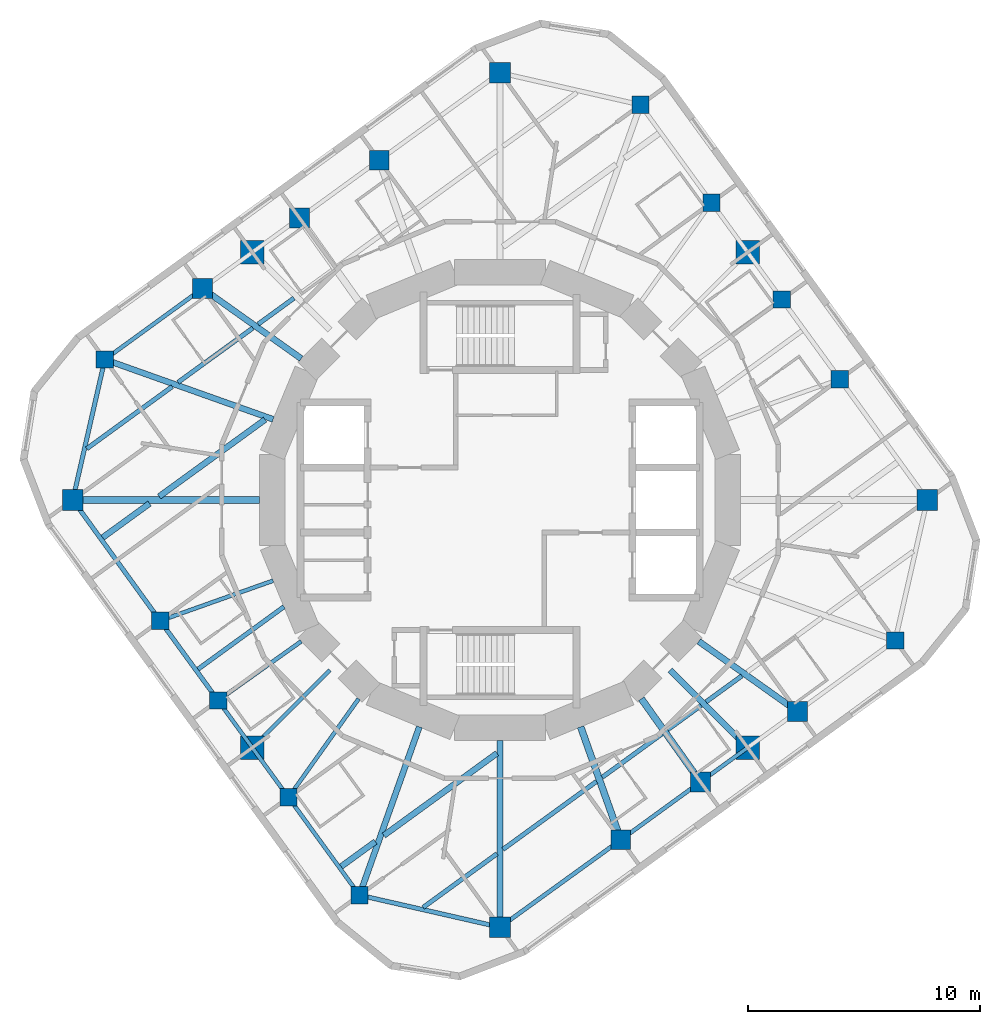
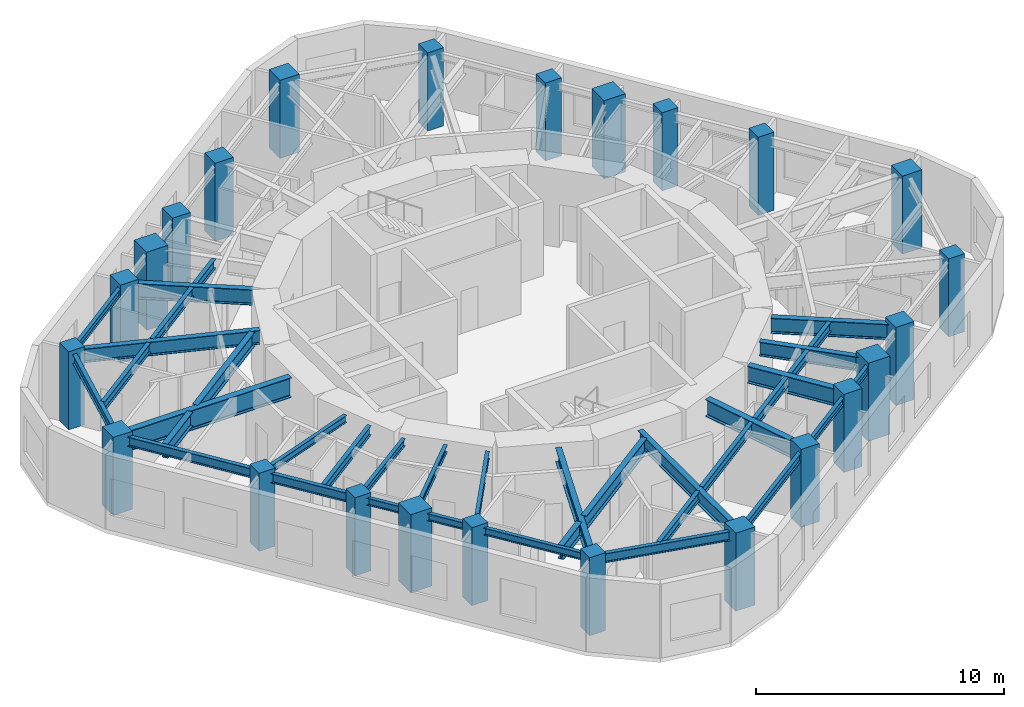
# One storey, part 1 of 9: 37 beams, 24 columns.
"""IFC4 building model written with IfcOpenShell, lengths in metres."""

from ifc_helpers import new_model, si_unit, direction, frame, origin, origin_2d, place, context, subcontext, project, spatial, rectangle, i_section, extrude, material, material_profile, profile_set, type_object, element, save


model = new_model("IFC4")

# Units and contexts
model_context = context("Model", 3, precision=1e-05, world=origin(), true_north=direction((0.0, 1.0)))
body_context = subcontext(model_context, "Body", "Model", "MODEL_VIEW")
ifc_project = project(units=[si_unit("LENGTHUNIT", "METRE"), si_unit("AREAUNIT", "SQUARE_METRE"), si_unit("VOLUMEUNIT", "CUBIC_METRE"), si_unit("PLANEANGLEUNIT", "RADIAN"), si_unit("MASSUNIT", "GRAM", prefix="KILO")], contexts=[model_context])

# Site, building, storey
site_placement = place(None, origin())
site = spatial("IfcSite", under=ifc_project, at=site_placement, CompositionType="ELEMENT")
building_placement = place(site_placement, origin())
building = spatial("IfcBuilding", under=site, at=building_placement, Name="Nakasero Lantern House", CompositionType="ELEMENT")
storey_placement = place(building_placement, frame((0.0, 0.0, 279.14990234375)))
storey = spatial("IfcBuildingStorey", under=building, at=storey_placement, Name="L68", CompositionType="ELEMENT", Elevation=279.14990234375)

# Columns
ifc_material_1 = material(Name="Concrete C40/50", Category="concrete")
ifc_material_profile_1 = material_profile(ifc_material_1, rectangle(XDim=1.0, YDim=1.0, at=origin_2d()), Name="RC 1000x1000")
ifc_profile_set_1 = profile_set([ifc_material_profile_1], Name="Concrete C40/50")
column_type_1 = type_object("IfcColumnType", Name="Mega column RC 1000x1000 C40/50", PredefinedType="COLUMN", material=ifc_profile_set_1)
for number, where, z_axis, x_axis, name in (
    (1, (10.667236328125, 10.667236328125, 0.0), (0.0, 0.0, 1.0), (1.0, 0.0, 0.0), "Column B7-C06 L68"),
    (2, (-10.667236328125, 10.667236328125, 0.0), (0.0, 0.0, 1.0), (1.0, 0.0, 0.0), "Column B7-C12 L68"),
    (3, (-10.667236328125, -10.667236328125, 0.0), (0.0, 0.0, 1.0), (1.0, 0.0, 0.0), "Column B7-C18 L68"),
    (4, (10.667236328125, -10.667236328125, 0.0), (0.0, 0.0, 1.0), (1.0, 0.0, 0.0), "Column B7-C24 L68"),
):
    element("IfcColumn", number, at=place(storey_placement, frame(where, z_axis=z_axis, x_axis=x_axis)), inside=storey, type_object=column_type_1, Name=name, PredefinedType="COLUMN", context=body_context, shape_type="SweptSolid", body=[
        extrude(rectangle(XDim=1.0, YDim=1.0, at=origin_2d()), origin(), (0.0, 0.0, 1.0), 3.85009765625),
    ])
ifc_material_2 = material(Name="Concrete C40/50", Category="concrete")
ifc_material_profile_2 = material_profile(ifc_material_2, rectangle(XDim=0.75, YDim=0.75, at=origin_2d()), Name="RC 750x750")
ifc_profile_set_2 = profile_set([ifc_material_profile_2], Name="Concrete C40/50")
column_type_2 = type_object("IfcColumnType", Name="Ring column RC 750x750 C40/50", PredefinedType="COLUMN", material=ifc_profile_set_2)
for number, where, z_axis, x_axis, name in (
    (5, (17.02001953125, -6.051513671875, 0.0), (0.0, 0.0, 1.0), (1.0, 0.0, 0.0), "Column B7-C02 L68"),
    (6, (14.636474609375, 5.2041015625, 0.0), (0.0, 0.0, 1.0), (1.0, 0.0, 0.0), "Column B7-C04 L68"),
    (7, (12.1435546875, 8.63525390625, 0.0), (0.0, 0.0, 1.0), (1.0, 0.0, 0.0), "Column B7-C05 L68"),
    (8, (9.10986328125, 12.810791015625, 0.0), (0.0, 0.0, 1.0), (1.0, 0.0, 0.0), "Column B7-C07 L68"),
    (9, (6.051513671875, 17.02001953125, 0.0), (0.0, 0.0, 1.0), (1.0, 0.0, 0.0), "Column B7-C08 L68"),
    (10, (-17.02001953125, 6.051513671875, 0.0), (0.0, 0.0, 1.0), (1.0, 0.0, 0.0), "Column B7-C14 L68"),
    (11, (-14.636474609375, -5.2041015625, 0.0), (0.0, 0.0, 1.0), (1.0, 0.0, 0.0), "Column B7-C16 L68"),
    (12, (-12.1435546875, -8.63525390625, 0.0), (0.0, 0.0, 1.0), (1.0, 0.0, 0.0), "Column B7-C17 L68"),
    (13, (-9.10986328125, -12.810791015625, 0.0), (0.0, 0.0, 1.0), (1.0, 0.0, 0.0), "Column B7-C19 L68"),
    (14, (-6.051513671875, -17.02001953125, 0.0), (0.0, 0.0, 1.0), (1.0, 0.0, 0.0), "Column B7-C20 L68"),
):
    element("IfcColumn", number, at=place(storey_placement, frame(where, z_axis=z_axis, x_axis=x_axis)), inside=storey, type_object=column_type_2, Name=name, PredefinedType="COLUMN", context=body_context, shape_type="SweptSolid", body=[
        extrude(rectangle(XDim=0.75, YDim=0.75, at=origin_2d()), origin(), (0.0, 0.0, 1.0), 3.85009765625),
    ])
ifc_material_3 = material(Name="Concrete C40/50", Category="concrete")
ifc_material_profile_3 = material_profile(ifc_material_3, rectangle(XDim=0.85009765625, YDim=0.85009765625, at=origin_2d()), Name="RC 850x850")
ifc_profile_set_3 = profile_set([ifc_material_profile_3], Name="Concrete C40/50")
column_type_3 = type_object("IfcColumnType", Name="Ring column RC 850x850 C40/50", PredefinedType="COLUMN", material=ifc_profile_set_3)
for number, where, z_axis, x_axis, name in (
    (15, (12.810791015625, -9.10986328125, 0.0), (0.0, 0.0, 1.0), (1.0, 0.0, 0.0), "Column B7-C01 L68"),
    (16, (-5.2041015625, 14.636474609375, 0.0), (0.0, 0.0, 1.0), (1.0, 0.0, 0.0), "Column B7-C10 L68"),
    (17, (-8.63525390625, 12.1435546875, 0.0), (0.0, 0.0, 1.0), (1.0, 0.0, 0.0), "Column B7-C11 L68"),
    (18, (-12.810791015625, 9.10986328125, 0.0), (0.0, 0.0, 1.0), (1.0, 0.0, 0.0), "Column B7-C13 L68"),
    (19, (5.2041015625, -14.636474609375, 0.0), (0.0, 0.0, 1.0), (1.0, 0.0, 0.0), "Column B7-C22 L68"),
    (20, (8.63525390625, -12.1435546875, 0.0), (0.0, 0.0, 1.0), (1.0, 0.0, 0.0), "Column B7-C23 L68"),
):
    element("IfcColumn", number, at=place(storey_placement, frame(where, z_axis=z_axis, x_axis=x_axis)), inside=storey, type_object=column_type_3, Name=name, PredefinedType="COLUMN", context=body_context, shape_type="SweptSolid", body=[
        extrude(rectangle(XDim=0.85009765625, YDim=0.85009765625, at=origin_2d()), origin(), (0.0, 0.0, 1.0), 3.85009765625),
    ])
ifc_material_4 = material(Name="Concrete C40/50", Category="concrete")
ifc_material_profile_4 = material_profile(ifc_material_4, rectangle(XDim=0.89990234375, YDim=0.89990234375, at=origin_2d()), Name="RC 900x900")
ifc_profile_set_4 = profile_set([ifc_material_profile_4], Name="Concrete C40/50")
column_type_4 = type_object("IfcColumnType", Name="Ring column RC 900x900 C40/50", PredefinedType="COLUMN", material=ifc_profile_set_4)
for number, where, z_axis, x_axis, name in (
    (21, (18.39990234375, 0.0, 0.0), (0.0, 0.0, 1.0), (1.0, 0.0, 0.0), "Column B7-C03 L68"),
    (22, (0.0, 18.39990234375, 0.0), (0.0, 0.0, 1.0), (1.0, 0.0, 0.0), "Column B7-C09 L68"),
    (23, (-18.39990234375, 0.0, 0.0), (0.0, 0.0, 1.0), (1.0, 0.0, 0.0), "Column B7-C15 L68"),
    (24, (0.0, -18.39990234375, 0.0), (0.0, 0.0, 1.0), (1.0, 0.0, 0.0), "Column B7-C21 L68"),
):
    element("IfcColumn", number, at=place(storey_placement, frame(where, z_axis=z_axis, x_axis=x_axis)), inside=storey, type_object=column_type_4, Name=name, PredefinedType="COLUMN", context=body_context, shape_type="SweptSolid", body=[
        extrude(rectangle(XDim=0.89990234375, YDim=0.89990234375, at=origin_2d()), origin(), (0.0, 0.0, 1.0), 3.85009765625),
    ])

# Beams
ifc_material_5 = material(Name="Steel S355", Category="steel")
ifc_material_profile_5 = material_profile(ifc_material_5, i_section(OverallWidth=0.19140625, OverallDepth=0.4599609375, WebThickness=0.010009765625, FlangeThickness=0.01611328125, FilletRadius=0.01025390625, at=origin_2d()), Name="UB 457x191x82")
ifc_profile_set_5 = profile_set([ifc_material_profile_5], Name="Steel S355")
beam_type_1 = type_object("IfcBeamType", Name="Infill beam UB 457x191x82", PredefinedType="JOIST", material=ifc_profile_set_5)
beam_1_placement = place(storey_placement, frame((-3.311279296875, -17.547607421875, 3.420166015625), z_axis=(0.809028442836, 0.587769494515, 0.0), x_axis=(-0.587769494515, 0.809028442836, 0.0)))
element("IfcBeam", 25, at=beam_1_placement, inside=storey, type_object=beam_type_1, Name="Infill beam L69 03.1", PredefinedType="JOIST", context=body_context, shape_type="SweptSolid", body=[
    extrude(i_section(OverallWidth=0.19140625, OverallDepth=0.4599609375, WebThickness=0.010009765625, FlangeThickness=0.01611328125, FilletRadius=0.01025390625, at=origin_2d()), origin(), (0.0, 0.0, 1.0), 3.934814453125),
])
beam_2_placement = place(storey_placement, frame((0.1279296875, -15.048828125, 3.420166015625), z_axis=(0.809018056479, 0.587783790428, 0.0), x_axis=(-0.587783790428, 0.809018056479, 0.0)))
element("IfcBeam", 26, at=beam_2_placement, inside=storey, type_object=beam_type_1, Name="Infill beam L69 03.2", PredefinedType="JOIST", context=body_context, shape_type="SweptSolid", body=[
    extrude(i_section(OverallWidth=0.19140625, OverallDepth=0.4599609375, WebThickness=0.010009765625, FlangeThickness=0.01611328125, FilletRadius=0.01025390625, at=origin_2d()), origin(), (0.0, 0.0, 1.0), 4.97802734375),
])
beam_3_placement = place(storey_placement, frame((4.40185546875, -11.943603515625, 3.420166015625), z_axis=(0.809014147131, 0.587789171167, 0.0), x_axis=(-0.587789171167, 0.809014147131, 0.0)))
element("IfcBeam", 27, at=beam_3_placement, inside=storey, type_object=beam_type_1, Name="Infill beam L69 03.3", PredefinedType="JOIST", context=body_context, shape_type="SweptSolid", body=[
    extrude(i_section(OverallWidth=0.19140625, OverallDepth=0.4599609375, WebThickness=0.010009765625, FlangeThickness=0.01611328125, FilletRadius=0.01025390625, at=origin_2d()), origin(), (0.0, 0.0, 1.0), 3.188232421875),
])
beam_4_placement = place(storey_placement, frame((7.2177734375, -9.897705078125, 3.420166015625), z_axis=(0.809060510352, 0.587725353025, 0.0), x_axis=(-0.587725353025, 0.809060510352, 0.0)))
element("IfcBeam", 28, at=beam_4_placement, inside=storey, type_object=beam_type_1, Name="Infill beam L69 03.4", PredefinedType="JOIST", context=body_context, shape_type="SweptSolid", body=[
    extrude(i_section(OverallWidth=0.19140625, OverallDepth=0.4599609375, WebThickness=0.010009765625, FlangeThickness=0.01611328125, FilletRadius=0.01025390625, at=origin_2d()), origin(), (0.0, 0.0, 1.0), 1.7890625),
])
beam_5_placement = place(storey_placement, frame((8.874755859375, -8.69384765625, 3.420166015625), z_axis=(0.809012638294, 0.587791247877, 0.0), x_axis=(-0.587791247877, 0.809012638294, 0.0)))
element("IfcBeam", 29, at=beam_5_placement, inside=storey, type_object=beam_type_1, Name="Infill beam L69 03.5", PredefinedType="JOIST", context=body_context, shape_type="SweptSolid", body=[
    extrude(i_section(OverallWidth=0.19140625, OverallDepth=0.4599609375, WebThickness=0.010009765625, FlangeThickness=0.01611328125, FilletRadius=0.01025390625, at=origin_2d()), origin(), (0.0, 0.0, 1.0), 1.908203125),
])
beam_6_placement = place(storey_placement, frame((-13.006103515625, -7.286376953125, 3.420166015625), z_axis=(0.809017640959, 0.587784362344, 0.0), x_axis=(-0.587784362344, 0.809017640959, 0.0)))
element("IfcBeam", 30, at=beam_6_placement, inside=storey, type_object=beam_type_1, Name="Infill beam L69 07.1", PredefinedType="JOIST", context=body_context, shape_type="SweptSolid", body=[
    extrude(i_section(OverallWidth=0.19140625, OverallDepth=0.4599609375, WebThickness=0.010009765625, FlangeThickness=0.01611328125, FilletRadius=0.01025390625, at=origin_2d()), origin(), (0.0, 0.0, 1.0), 4.572998046875),
])
beam_7_placement = place(storey_placement, frame((-17.798583984375, 2.21044921875, 3.420166015625), z_axis=(0.80901210161, 0.587791986546, 0.0), x_axis=(-0.587791986546, 0.80901210161, 0.0)))
element("IfcBeam", 31, at=beam_7_placement, inside=storey, type_object=beam_type_1, Name="Infill beam L69 10.1", PredefinedType="JOIST", context=body_context, shape_type="SweptSolid", body=[
    extrude(i_section(OverallWidth=0.19140625, OverallDepth=0.4599609375, WebThickness=0.010009765625, FlangeThickness=0.01611328125, FilletRadius=0.01025390625, at=origin_2d()), origin(), (0.0, 0.0, 1.0), 4.55029296875),
])
beam_8_placement = place(storey_placement, frame((-13.86865234375, 5.065673828125, 3.420166015625), z_axis=(0.809006350712, 0.587799901759, 0.0), x_axis=(-0.587799901759, 0.809006350712, 0.0)))
element("IfcBeam", 32, at=beam_8_placement, inside=storey, type_object=beam_type_1, Name="Infill beam L69 10.2", PredefinedType="JOIST", context=body_context, shape_type="SweptSolid", body=[
    extrude(i_section(OverallWidth=0.19140625, OverallDepth=0.4599609375, WebThickness=0.010009765625, FlangeThickness=0.01611328125, FilletRadius=0.01025390625, at=origin_2d()), origin(), (0.0, 0.0, 1.0), 3.983154296875),
])
beam_9_placement = place(storey_placement, frame((-10.41845703125, 7.572265625, 3.420166015625), z_axis=(0.809012638294, 0.587791247877, 0.0), x_axis=(-0.587791247877, 0.809012638294, 0.0)))
element("IfcBeam", 33, at=beam_9_placement, inside=storey, type_object=beam_type_1, Name="Infill beam L69 10.3", PredefinedType="JOIST", context=body_context, shape_type="SweptSolid", body=[
    extrude(i_section(OverallWidth=0.19140625, OverallDepth=0.4599609375, WebThickness=0.010009765625, FlangeThickness=0.01611328125, FilletRadius=0.01025390625, at=origin_2d()), origin(), (0.0, 0.0, 1.0), 1.908203125),
])
ifc_material_6 = material(Name="Steel S355", Category="steel")
ifc_material_profile_6 = material_profile(ifc_material_6, i_section(OverallWidth=0.255859375, OverallDepth=0.69287109375, WebThickness=0.014404296875, FlangeThickness=0.023681640625, FilletRadius=0.01513671875, at=origin_2d()), Name="UB 686x254x170")
ifc_profile_set_6 = profile_set([ifc_material_profile_6], Name="Steel S355")
beam_type_2 = type_object("IfcBeamType", Name="Infill beam UB 686x254x170", PredefinedType="JOIST", material=ifc_profile_set_6)
beam_10_placement = place(storey_placement, frame((-6.841796875, -15.786376953125, 3.3037109375), z_axis=(0.809025740158, 0.587773214566, 0.0), x_axis=(-0.587773214566, 0.809025740158, 0.0)))
element("IfcBeam", 34, at=beam_10_placement, inside=storey, type_object=beam_type_2, Name="Infill beam L69 04.1", PredefinedType="JOIST", context=body_context, shape_type="SweptSolid", body=[
    extrude(i_section(OverallWidth=0.255859375, OverallDepth=0.69287109375, WebThickness=0.014404296875, FlangeThickness=0.023681640625, FilletRadius=0.01513671875, at=origin_2d()), origin(), (0.0, 0.0, 1.0), 1.82177734375),
])
beam_11_placement = place(storey_placement, frame((-5.001953125, -14.44970703125, 3.3037109375), z_axis=(0.809011117524, 0.587793340998, 0.0), x_axis=(-0.587793340998, 0.809011117524, 0.0)))
element("IfcBeam", 35, at=beam_11_placement, inside=storey, type_object=beam_type_2, Name="Infill beam L69 04.2", PredefinedType="JOIST", context=body_context, shape_type="SweptSolid", body=[
    extrude(i_section(OverallWidth=0.255859375, OverallDepth=0.69287109375, WebThickness=0.014404296875, FlangeThickness=0.023681640625, FilletRadius=0.01513671875, at=origin_2d()), origin(), (0.0, 0.0, 1.0), 6.024658203125),
])
beam_12_placement = place(storey_placement, frame((-17.1123046875, -1.6171875, 3.3037109375), z_axis=(0.809015124384, 0.587787826106, 0.0), x_axis=(-0.587787826106, 0.809015124384, 0.0)))
element("IfcBeam", 36, at=beam_12_placement, inside=storey, type_object=beam_type_2, Name="Infill beam L69 09.1", PredefinedType="JOIST", context=body_context, shape_type="SweptSolid", body=[
    extrude(i_section(OverallWidth=0.255859375, OverallDepth=0.69287109375, WebThickness=0.014404296875, FlangeThickness=0.023681640625, FilletRadius=0.01513671875, at=origin_2d()), origin(), (0.0, 0.0, 1.0), 2.496337890625),
])
beam_13_placement = place(storey_placement, frame((-14.679931640625, 0.14990234375, 3.3037109375), z_axis=(0.809013172462, 0.587790512669, 0.0), x_axis=(-0.587790512669, 0.809013172462, 0.0)))
element("IfcBeam", 37, at=beam_13_placement, inside=storey, type_object=beam_type_2, Name="Infill beam L69 09.2", PredefinedType="JOIST", context=body_context, shape_type="SweptSolid", body=[
    extrude(i_section(OverallWidth=0.255859375, OverallDepth=0.69287109375, WebThickness=0.014404296875, FlangeThickness=0.023681640625, FilletRadius=0.01513671875, at=origin_2d()), origin(), (0.0, 0.0, 1.0), 5.63720703125),
])
ifc_material_7 = material(Name="Steel S355", Category="steel")
ifc_material_profile_7 = material_profile(ifc_material_7, i_section(OverallWidth=0.300048828125, OverallDepth=0.97998046875, WebThickness=0.0166015625, FlangeThickness=0.02587890625, FilletRadius=0.030029296875, at=origin_2d()), Name="UB 1016x305x249")
ifc_profile_set_7 = profile_set([ifc_material_profile_7], Name="Steel S355")
beam_type_3 = type_object("IfcBeamType", Name="Primary beam UB 1016x305x249, span 6 to 9 m", PredefinedType="BEAM", material=ifc_profile_set_7)
beam_14_placement = place(storey_placement, frame((-18.39990234375, 0.0, 3.16015625), z_axis=(1.0, 0.0, 0.0), x_axis=(0.0, 1.0, 0.0)))
element("IfcBeam", 38, at=beam_14_placement, inside=storey, type_object=beam_type_3, Name="Primary beam L69 B7-C15", PredefinedType="BEAM", context=body_context, shape_type="SweptSolid", body=[
    extrude(i_section(OverallWidth=0.300048828125, OverallDepth=0.97998046875, WebThickness=0.0166015625, FlangeThickness=0.02587890625, FilletRadius=0.030029296875, at=origin_2d()), origin(), (0.0, 0.0, 1.0), 8.0419921875),
])
ifc_material_8 = material(Name="Steel S355", Category="steel")
ifc_material_profile_8 = material_profile(ifc_material_8, i_section(OverallWidth=0.17138671875, OverallDepth=0.35498046875, WebThickness=0.00732421875, FlangeThickness=0.011474609375, FilletRadius=0.01025390625, at=origin_2d()), Name="UB 356x171x51")
ifc_profile_set_8 = profile_set([ifc_material_profile_8], Name="Steel S355")
beam_type_4 = type_object("IfcBeamType", Name="Primary beam UB 356x171x51, span to 6 m", PredefinedType="BEAM", material=ifc_profile_set_8)
beam_15_placement = place(storey_placement, frame((-14.636474609375, -5.2041015625, 3.47265625), z_axis=(0.942221324153, 0.3349910093, 0.0), x_axis=(-0.3349910093, 0.942221324153, 0.0)))
element("IfcBeam", 39, at=beam_15_placement, inside=storey, type_object=beam_type_4, Name="Primary beam L69 B7-C16", PredefinedType="BEAM", context=body_context, shape_type="SweptSolid", body=[
    extrude(i_section(OverallWidth=0.17138671875, OverallDepth=0.35498046875, WebThickness=0.00732421875, FlangeThickness=0.011474609375, FilletRadius=0.01025390625, at=origin_2d()), origin(), (0.0, 0.0, 1.0), 5.162841796875),
])
beam_16_placement = place(storey_placement, frame((-12.1435546875, -8.63525390625, 3.47265625), z_axis=(0.814988544116, 0.579477068537, 0.0), x_axis=(-0.579477068537, 0.814988544116, 0.0)))
element("IfcBeam", 40, at=beam_16_placement, inside=storey, type_object=beam_type_4, Name="Primary beam L69 B7-C17", PredefinedType="BEAM", context=body_context, shape_type="SweptSolid", body=[
    extrude(i_section(OverallWidth=0.17138671875, OverallDepth=0.35498046875, WebThickness=0.00732421875, FlangeThickness=0.011474609375, FilletRadius=0.01025390625, at=origin_2d()), origin(), (0.0, 0.0, 1.0), 4.396484375),
])
beam_17_placement = place(storey_placement, frame((-10.667236328125, -10.667236328125, 3.47265625), z_axis=(0.707106781187, 0.707106781187, 0.0), x_axis=(-0.707106781187, 0.707106781187, 0.0)))
element("IfcBeam", 41, at=beam_17_placement, inside=storey, type_object=beam_type_4, Name="Primary beam L69 B7-C18", PredefinedType="BEAM", context=body_context, shape_type="SweptSolid", body=[
    extrude(i_section(OverallWidth=0.17138671875, OverallDepth=0.35498046875, WebThickness=0.00732421875, FlangeThickness=0.011474609375, FilletRadius=0.01025390625, at=origin_2d()), origin(), (0.0, 0.0, 1.0), 4.727783203125),
])
beam_18_placement = place(storey_placement, frame((-9.10986328125, -12.810791015625, 3.47265625), z_axis=(0.579500985986, 0.814971537688, 0.0), x_axis=(-0.814971537688, 0.579500985986, 0.0)))
element("IfcBeam", 42, at=beam_18_placement, inside=storey, type_object=beam_type_4, Name="Primary beam L69 B7-C19", PredefinedType="BEAM", context=body_context, shape_type="SweptSolid", body=[
    extrude(i_section(OverallWidth=0.17138671875, OverallDepth=0.35498046875, WebThickness=0.00732421875, FlangeThickness=0.011474609375, FilletRadius=0.01025390625, at=origin_2d()), origin(), (0.0, 0.0, 1.0), 5.215087890625),
])
ifc_material_9 = material(Name="Steel S355", Category="steel")
ifc_material_profile_9 = material_profile(ifc_material_9, i_section(OverallWidth=0.253662109375, OverallDepth=0.68359375, WebThickness=0.012451171875, FlangeThickness=0.01904296875, FilletRadius=0.01513671875, at=origin_2d()), Name="UB 686x254x140")
ifc_profile_set_9 = profile_set([ifc_material_profile_9], Name="Steel S355")
beam_type_5 = type_object("IfcBeamType", Name="Primary beam UB 686x254x140, span 6 to 9 m", PredefinedType="BEAM", material=ifc_profile_set_9)
beam_19_placement = place(storey_placement, frame((-17.02001953125, 6.051513671875, 3.308349609375), z_axis=(0.942222036561, -0.334989005521, 0.0), x_axis=(0.334989005521, 0.942222036561, 0.0)))
element("IfcBeam", 43, at=beam_19_placement, inside=storey, type_object=beam_type_5, Name="Primary beam L69 B7-C14", PredefinedType="BEAM", context=body_context, shape_type="SweptSolid", body=[
    extrude(i_section(OverallWidth=0.253662109375, OverallDepth=0.68359375, WebThickness=0.012451171875, FlangeThickness=0.01904296875, FilletRadius=0.01513671875, at=origin_2d()), origin(), (0.0, 0.0, 1.0), 7.6923828125),
])
ifc_material_10 = material(Name="Steel S355", Category="steel")
ifc_material_profile_10 = material_profile(ifc_material_10, i_section(OverallWidth=0.255859375, OverallDepth=0.69287109375, WebThickness=0.014404296875, FlangeThickness=0.023681640625, FilletRadius=0.01513671875, at=origin_2d()), Name="UB 686x254x170")
ifc_profile_set_10 = profile_set([ifc_material_profile_10], Name="Steel S355")
beam_type_6 = type_object("IfcBeamType", Name="Primary beam UB 686x254x170, span 6 to 9 m", PredefinedType="BEAM", material=ifc_profile_set_10)
beam_20_placement = place(storey_placement, frame((-6.051513671875, -17.02001953125, 3.3037109375), z_axis=(0.334989005521, 0.942222036561, 0.0), x_axis=(-0.942222036561, 0.334989005521, 0.0)))
element("IfcBeam", 44, at=beam_20_placement, inside=storey, type_object=beam_type_6, Name="Primary beam L69 B7-C20", PredefinedType="BEAM", context=body_context, shape_type="SweptSolid", body=[
    extrude(i_section(OverallWidth=0.255859375, OverallDepth=0.69287109375, WebThickness=0.014404296875, FlangeThickness=0.023681640625, FilletRadius=0.01513671875, at=origin_2d()), origin(), (0.0, 0.0, 1.0), 7.6923828125),
])
beam_21_placement = place(storey_placement, frame((0.0, -18.39990234375, 3.3037109375), z_axis=(0.0, 1.0, 0.0), x_axis=(-1.0, 0.0, 0.0)))
element("IfcBeam", 45, at=beam_21_placement, inside=storey, type_object=beam_type_6, Name="Primary beam L69 B7-C21", PredefinedType="BEAM", context=body_context, shape_type="SweptSolid", body=[
    extrude(i_section(OverallWidth=0.255859375, OverallDepth=0.69287109375, WebThickness=0.014404296875, FlangeThickness=0.023681640625, FilletRadius=0.01513671875, at=origin_2d()), origin(), (0.0, 0.0, 1.0), 8.0419921875),
])
ifc_material_11 = material(Name="Steel S355", Category="steel")
ifc_material_profile_11 = material_profile(ifc_material_11, i_section(OverallWidth=0.255859375, OverallDepth=0.69287109375, WebThickness=0.014404296875, FlangeThickness=0.023681640625, FilletRadius=0.01513671875, at=origin_2d()), Name="UB 686x254x170")
ifc_profile_set_11 = profile_set([ifc_material_profile_11], Name="Steel S355")
beam_type_7 = type_object("IfcBeamType", Name="Primary beam UB 686x254x170, span to 6 m", PredefinedType="BEAM", material=ifc_profile_set_11)
beam_22_placement = place(storey_placement, frame((10.667236328125, -10.667236328125, 3.3037109375), z_axis=(-0.707106781187, 0.707106781187, 0.0), x_axis=(-0.707106781187, -0.707106781187, 0.0)))
element("IfcBeam", 46, at=beam_22_placement, inside=storey, type_object=beam_type_7, Name="Primary beam L69 B7-C24", PredefinedType="BEAM", context=body_context, shape_type="SweptSolid", body=[
    extrude(i_section(OverallWidth=0.255859375, OverallDepth=0.69287109375, WebThickness=0.014404296875, FlangeThickness=0.023681640625, FilletRadius=0.01513671875, at=origin_2d()), origin(), (0.0, 0.0, 1.0), 4.727783203125),
])
ifc_material_12 = material(Name="Steel S355", Category="steel")
ifc_material_profile_12 = material_profile(ifc_material_12, i_section(OverallWidth=0.2666015625, OverallDepth=0.76220703125, WebThickness=0.014404296875, FlangeThickness=0.021484375, FilletRadius=0.0166015625, at=origin_2d()), Name="UB 762x267x173")
ifc_profile_set_12 = profile_set([ifc_material_profile_12], Name="Steel S355")
beam_type_8 = type_object("IfcBeamType", Name="Primary beam UB 762x267x173, span to 6 m", PredefinedType="BEAM", material=ifc_profile_set_12)
for number, where, z_axis, x_axis, name in (
    (47, (12.810791015625, -9.10986328125, 3.26904296875), (-0.814971537688, 0.579500985986, 0.0), (-0.579500985986, -0.814971537688, 0.0), "Primary beam L69 B7-C01"),
    (48, (-12.810791015625, 9.10986328125, 3.26904296875), (0.814971537688, -0.579500985986, 0.0), (0.579500985986, 0.814971537688, 0.0), "Primary beam L69 B7-C13"),
):
    element("IfcBeam", number, at=place(storey_placement, frame(where, z_axis=z_axis, x_axis=x_axis)), inside=storey, type_object=beam_type_8, Name=name, PredefinedType="BEAM", context=body_context, shape_type="SweptSolid", body=[
        extrude(i_section(OverallWidth=0.2666015625, OverallDepth=0.76220703125, WebThickness=0.014404296875, FlangeThickness=0.021484375, FilletRadius=0.0166015625, at=origin_2d()), origin(), (0.0, 0.0, 1.0), 5.215087890625),
    ])
ifc_material_13 = material(Name="Steel S355", Category="steel")
ifc_material_profile_13 = material_profile(ifc_material_13, i_section(OverallWidth=0.29248046875, OverallDepth=0.8408203125, WebThickness=0.0146484375, FlangeThickness=0.02685546875, FilletRadius=0.017822265625, at=origin_2d()), Name="UB 838x292x194")
ifc_profile_set_13 = profile_set([ifc_material_profile_13], Name="Steel S355")
beam_type_9 = type_object("IfcBeamType", Name="Primary beam UB 838x292x194, span to 6 m", PredefinedType="BEAM", material=ifc_profile_set_13)
beam_23_placement = place(storey_placement, frame((5.2041015625, -14.636474609375, 3.229736328125), z_axis=(-0.3349910093, 0.942221324153, 0.0), x_axis=(-0.942221324153, -0.3349910093, 0.0)))
element("IfcBeam", 49, at=beam_23_placement, inside=storey, type_object=beam_type_9, Name="Primary beam L69 B7-C22", PredefinedType="BEAM", context=body_context, shape_type="SweptSolid", body=[
    extrude(i_section(OverallWidth=0.29248046875, OverallDepth=0.8408203125, WebThickness=0.0146484375, FlangeThickness=0.02685546875, FilletRadius=0.017822265625, at=origin_2d()), origin(), (0.0, 0.0, 1.0), 5.162841796875),
])
beam_24_placement = place(storey_placement, frame((8.63525390625, -12.1435546875, 3.229736328125), z_axis=(-0.579477068537, 0.814988544116, 0.0), x_axis=(-0.814988544116, -0.579477068537, 0.0)))
element("IfcBeam", 50, at=beam_24_placement, inside=storey, type_object=beam_type_9, Name="Primary beam L69 B7-C23", PredefinedType="BEAM", context=body_context, shape_type="SweptSolid", body=[
    extrude(i_section(OverallWidth=0.29248046875, OverallDepth=0.8408203125, WebThickness=0.0146484375, FlangeThickness=0.02685546875, FilletRadius=0.017822265625, at=origin_2d()), origin(), (0.0, 0.0, 1.0), 4.396484375),
])
ifc_material_14 = material(Name="Steel S355", Category="steel")
ifc_material_profile_14 = material_profile(ifc_material_14, i_section(OverallWidth=0.17138671875, OverallDepth=0.35498046875, WebThickness=0.00732421875, FlangeThickness=0.011474609375, FilletRadius=0.01025390625, at=origin_2d()), Name="UB 356x171x51")
ifc_profile_set_14 = profile_set([ifc_material_profile_14], Name="Steel S355")
beam_type_10 = type_object("IfcBeamType", Name="Ring beam UB 356x171x51", PredefinedType="BEAM", material=ifc_profile_set_14)
beam_25_placement = place(storey_placement, frame((-12.810791015625, 9.10986328125, 3.47265625), z_axis=(-0.809001814948, -0.587806144414, 0.0), x_axis=(0.587806144414, -0.809001814948, 0.0)))
element("IfcBeam", 51, at=beam_25_placement, inside=storey, type_object=beam_type_10, Name="Ring beam L69 B7-C13", PredefinedType="BEAM", context=body_context, shape_type="SweptSolid", body=[
    extrude(i_section(OverallWidth=0.17138671875, OverallDepth=0.35498046875, WebThickness=0.00732421875, FlangeThickness=0.011474609375, FilletRadius=0.01025390625, at=origin_2d()), origin(), (0.0, 0.0, 1.0), 5.202880859375),
])
beam_26_placement = place(storey_placement, frame((-12.1435546875, -8.63525390625, 3.47265625), z_axis=(0.58778439593, -0.809017616558, 0.0), x_axis=(0.809017616558, 0.58778439593, 0.0)))
element("IfcBeam", 52, at=beam_26_placement, inside=storey, type_object=beam_type_10, Name="Ring beam L69 B7-C17", PredefinedType="BEAM", context=body_context, shape_type="SweptSolid", body=[
    extrude(i_section(OverallWidth=0.17138671875, OverallDepth=0.35498046875, WebThickness=0.00732421875, FlangeThickness=0.011474609375, FilletRadius=0.01025390625, at=origin_2d()), origin(), (0.0, 0.0, 1.0), 2.51171875),
])
beam_27_placement = place(storey_placement, frame((-10.667236328125, -10.667236328125, 3.47265625), z_axis=(0.587782635143, -0.809018895839, 0.0), x_axis=(0.809018895839, 0.587782635143, 0.0)))
element("IfcBeam", 53, at=beam_27_placement, inside=storey, type_object=beam_type_10, Name="Ring beam L69 B7-C18", PredefinedType="BEAM", context=body_context, shape_type="SweptSolid", body=[
    extrude(i_section(OverallWidth=0.17138671875, OverallDepth=0.35498046875, WebThickness=0.00732421875, FlangeThickness=0.011474609375, FilletRadius=0.01025390625, at=origin_2d()), origin(), (0.0, 0.0, 1.0), 2.649658203125),
])
beam_28_placement = place(storey_placement, frame((-9.10986328125, -12.810791015625, 3.47265625), z_axis=(0.587806144414, -0.809001814948, 0.0), x_axis=(0.809001814948, 0.587806144414, 0.0)))
element("IfcBeam", 54, at=beam_28_placement, inside=storey, type_object=beam_type_10, Name="Ring beam L69 B7-C19", PredefinedType="BEAM", context=body_context, shape_type="SweptSolid", body=[
    extrude(i_section(OverallWidth=0.17138671875, OverallDepth=0.35498046875, WebThickness=0.00732421875, FlangeThickness=0.011474609375, FilletRadius=0.01025390625, at=origin_2d()), origin(), (0.0, 0.0, 1.0), 5.202880859375),
])
beam_29_placement = place(storey_placement, frame((5.2041015625, -14.636474609375, 3.47265625), z_axis=(0.809012304944, 0.587791706687, 0.0), x_axis=(-0.587791706687, 0.809012304944, 0.0)))
element("IfcBeam", 55, at=beam_29_placement, inside=storey, type_object=beam_type_10, Name="Ring beam L69 B7-C22", PredefinedType="BEAM", context=body_context, shape_type="SweptSolid", body=[
    extrude(i_section(OverallWidth=0.17138671875, OverallDepth=0.35498046875, WebThickness=0.00732421875, FlangeThickness=0.011474609375, FilletRadius=0.01025390625, at=origin_2d()), origin(), (0.0, 0.0, 1.0), 4.2412109375),
])
beam_30_placement = place(storey_placement, frame((8.63525390625, -12.1435546875, 3.47265625), z_axis=(0.809017616558, 0.58778439593, 0.0), x_axis=(-0.58778439593, 0.809017616558, 0.0)))
element("IfcBeam", 56, at=beam_30_placement, inside=storey, type_object=beam_type_10, Name="Ring beam L69 B7-C23", PredefinedType="BEAM", context=body_context, shape_type="SweptSolid", body=[
    extrude(i_section(OverallWidth=0.17138671875, OverallDepth=0.35498046875, WebThickness=0.00732421875, FlangeThickness=0.011474609375, FilletRadius=0.01025390625, at=origin_2d()), origin(), (0.0, 0.0, 1.0), 2.51171875),
])
ifc_material_15 = material(Name="Steel S355", Category="steel")
ifc_material_profile_15 = material_profile(ifc_material_15, i_section(OverallWidth=0.177978515625, OverallDepth=0.406494140625, WebThickness=0.0078125, FlangeThickness=0.0126953125, FilletRadius=0.01025390625, at=origin_2d()), Name="UB 406x178x60")
ifc_profile_set_15 = profile_set([ifc_material_profile_15], Name="Steel S355")
beam_type_11 = type_object("IfcBeamType", Name="Ring beam UB 406x178x60", PredefinedType="BEAM", material=ifc_profile_set_15)
beam_31_placement = place(storey_placement, frame((0.0, -18.39990234375, 3.44677734375), z_axis=(0.810316200404, 0.58599287996, 0.0), x_axis=(-0.58599287996, 0.810316200404, 0.0)))
element("IfcBeam", 57, at=beam_31_placement, inside=storey, type_object=beam_type_11, Name="Ring beam L69 B7-C21", PredefinedType="BEAM", context=body_context, shape_type="SweptSolid", body=[
    extrude(i_section(OverallWidth=0.177978515625, OverallDepth=0.406494140625, WebThickness=0.0078125, FlangeThickness=0.0126953125, FilletRadius=0.01025390625, at=origin_2d()), origin(), (0.0, 0.0, 1.0), 6.42236328125),
])
ifc_material_16 = material(Name="Steel S355", Category="steel")
ifc_material_profile_16 = material_profile(ifc_material_16, i_section(OverallWidth=0.18994140625, OverallDepth=0.453369140625, WebThickness=0.008544921875, FlangeThickness=0.0126953125, FilletRadius=0.01025390625, at=origin_2d()), Name="UB 457x191x67")
ifc_profile_set_16 = profile_set([ifc_material_profile_16], Name="Steel S355")
beam_type_12 = type_object("IfcBeamType", Name="Ring beam UB 457x191x67", PredefinedType="BEAM", material=ifc_profile_set_16)
beam_32_placement = place(storey_placement, frame((-17.02001953125, 6.051513671875, 3.42333984375), z_axis=(-0.222316387753, -0.974974575944, 0.0), x_axis=(0.974974575944, -0.222316387753, 0.0)))
element("IfcBeam", 58, at=beam_32_placement, inside=storey, type_object=beam_type_12, Name="Ring beam L69 B7-C14", PredefinedType="BEAM", context=body_context, shape_type="SweptSolid", body=[
    extrude(i_section(OverallWidth=0.18994140625, OverallDepth=0.453369140625, WebThickness=0.008544921875, FlangeThickness=0.0126953125, FilletRadius=0.01025390625, at=origin_2d()), origin(), (0.0, 0.0, 1.0), 6.206787109375),
])
beam_33_placement = place(storey_placement, frame((-14.636474609375, -5.2041015625, 3.42333984375), z_axis=(0.587791706687, -0.809012304944, 0.0), x_axis=(0.809012304944, 0.587791706687, 0.0)))
element("IfcBeam", 59, at=beam_33_placement, inside=storey, type_object=beam_type_12, Name="Ring beam L69 B7-C16", PredefinedType="BEAM", context=body_context, shape_type="SweptSolid", body=[
    extrude(i_section(OverallWidth=0.18994140625, OverallDepth=0.453369140625, WebThickness=0.008544921875, FlangeThickness=0.0126953125, FilletRadius=0.01025390625, at=origin_2d()), origin(), (0.0, 0.0, 1.0), 4.2412109375),
])
beam_34_placement = place(storey_placement, frame((-6.051513671875, -17.02001953125, 3.42333984375), z_axis=(0.974974575944, -0.222316387753, 0.0), x_axis=(0.222316387753, 0.974974575944, 0.0)))
element("IfcBeam", 60, at=beam_34_placement, inside=storey, type_object=beam_type_12, Name="Ring beam L69 B7-C20", PredefinedType="BEAM", context=body_context, shape_type="SweptSolid", body=[
    extrude(i_section(OverallWidth=0.18994140625, OverallDepth=0.453369140625, WebThickness=0.008544921875, FlangeThickness=0.0126953125, FilletRadius=0.01025390625, at=origin_2d()), origin(), (0.0, 0.0, 1.0), 6.206787109375),
])
ifc_material_17 = material(Name="Steel S355", Category="steel")
ifc_material_profile_17 = material_profile(ifc_material_17, i_section(OverallWidth=0.19140625, OverallDepth=0.4599609375, WebThickness=0.010009765625, FlangeThickness=0.01611328125, FilletRadius=0.01025390625, at=origin_2d()), Name="UB 457x191x82")
ifc_profile_set_17 = profile_set([ifc_material_profile_17], Name="Steel S355")
beam_type_13 = type_object("IfcBeamType", Name="Ring beam UB 457x191x82", PredefinedType="BEAM", material=ifc_profile_set_17)
beam_35_placement = place(storey_placement, frame((-18.39990234375, 0.0, 3.420166015625), z_axis=(0.58599287996, -0.810316200404, 0.0), x_axis=(0.810316200404, 0.58599287996, 0.0)))
element("IfcBeam", 61, at=beam_35_placement, inside=storey, type_object=beam_type_13, Name="Ring beam L69 B7-C15", PredefinedType="BEAM", context=body_context, shape_type="SweptSolid", body=[
    extrude(i_section(OverallWidth=0.19140625, OverallDepth=0.4599609375, WebThickness=0.010009765625, FlangeThickness=0.01611328125, FilletRadius=0.01025390625, at=origin_2d()), origin(), (0.0, 0.0, 1.0), 6.42236328125),
])

save(model, "model.ifc")
